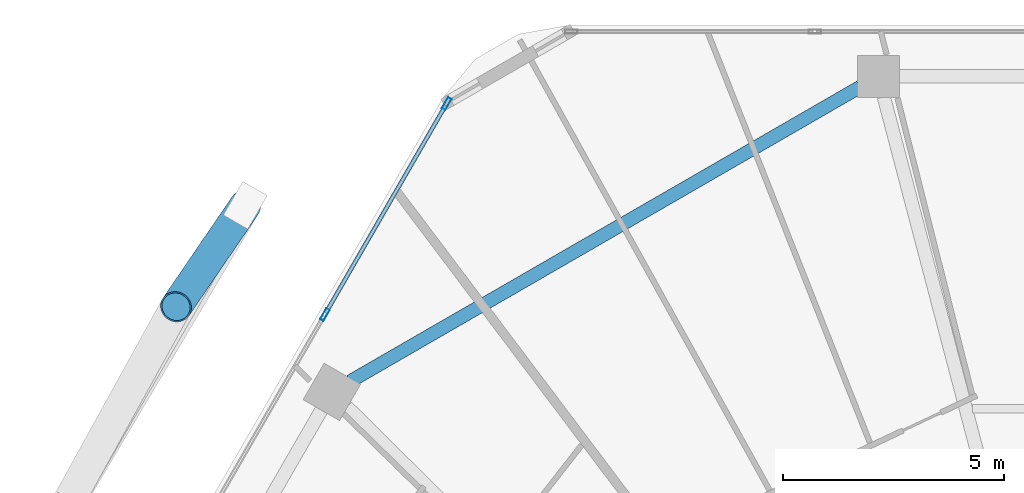
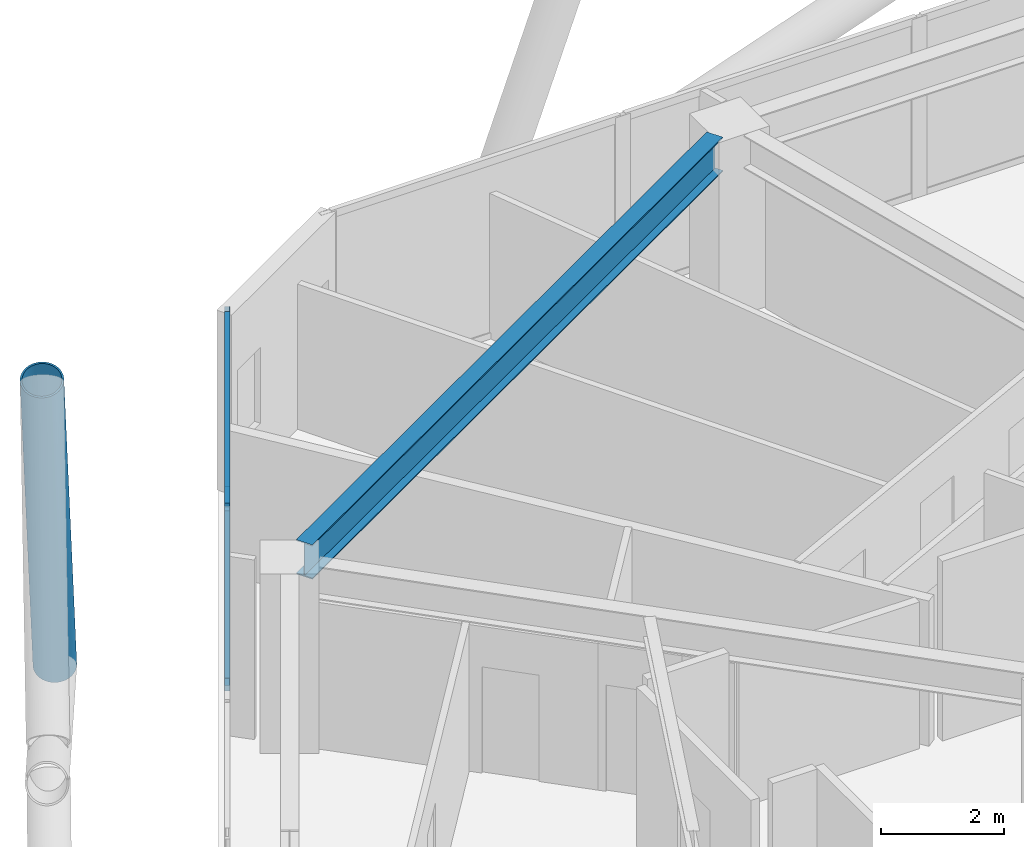
# One storey, part 13 of 29: 5 members, 1 beam, 1 element without a shape of its own.
"""IFC4 building model written with IfcOpenShell, lengths in metres."""

from ifc_helpers import new_model, si_unit, direction, frame, origin, origin_2d, place, context, subcontext, project, spatial, hollow_rectangle, hollow_circle, i_section, extrude, material, material_profile, profile_set, type_object, element, aggregate, save


model = new_model("IFC4")

# Units and contexts
model_context = context("Model", 3, precision=1e-05, world=origin(), true_north=direction((0.0, 1.0)))
body_context = subcontext(model_context, "Body", "Model", "MODEL_VIEW")
ifc_project = project(units=[si_unit("LENGTHUNIT", "METRE"), si_unit("AREAUNIT", "SQUARE_METRE"), si_unit("VOLUMEUNIT", "CUBIC_METRE"), si_unit("PLANEANGLEUNIT", "RADIAN"), si_unit("MASSUNIT", "GRAM", prefix="KILO")], contexts=[model_context])

# Site, building, storey
site_placement = place(None, origin())
site = spatial("IfcSite", under=ifc_project, at=site_placement, CompositionType="ELEMENT")
building_placement = place(site_placement, origin())
building = spatial("IfcBuilding", under=site, at=building_placement, Name="Zuhravey Tower", CompositionType="ELEMENT")
storey_placement = place(building_placement, frame((0.0, 0.0, 192.199951171875)))
storey = spatial("IfcBuildingStorey", under=building, at=storey_placement, Name="L48", CompositionType="ELEMENT", Elevation=192.199951171875)

# Curtain wall, members
ifc_material_1 = material(Name="Thermally broken anodised aluminium", Category="aluminium")
curtain_wall_type = type_object("IfcCurtainWallType", Name="Zone 1-2 Residential Curtain Wall CW3", PredefinedType="NOTDEFINED", material=ifc_material_1)
curtain_wall_placement = place(storey_placement, origin())
curtain_wall = element("IfcCurtainWall", 1, at=curtain_wall_placement, inside=storey, type_object=curtain_wall_type, Name="L48 CW3 CW-L48-F3-1", PredefinedType="NOTDEFINED")
ifc_material_2 = material(Name="Anodised aluminium", Category="aluminium")
ifc_material_profile_1 = material_profile(ifc_material_2, hollow_rectangle(XDim=0.090087890625, YDim=0.284912109375, WallThickness=0.0048828125, at=origin_2d()), Name="ALU-RHS-90x285x5")
ifc_profile_set_1 = profile_set([ifc_material_profile_1], Name="Anodised aluminium")
member_type_1 = type_object("IfcMemberType", Name="Curtain-Wall Mullion 90x180", PredefinedType="MULLION", material=ifc_profile_set_1)
member_1_placement = place(storey_placement, frame((16.6171875, 52.7939453125, 0.0), z_axis=(0.0, 0.0, 1.0), x_axis=(-0.866025138215, 0.500000459979, 0.0)))
member_1 = element("IfcMember", 2, at=member_1_placement, type_object=member_type_1, Name="CW3 mullion 5", PredefinedType="MULLION", context=body_context, shape_type="SweptSolid", body=[
    extrude(hollow_rectangle(XDim=0.090087890625, YDim=0.284912109375, WallThickness=0.0048828125, at=origin_2d()), origin(), (0.0, 0.0, 1.0), 3.550048828125),
])
member_2_placement = place(storey_placement, frame((19.36669921875, 57.556640625, 0.0), z_axis=(0.0, 0.0, 1.0), x_axis=(-0.866025138215, 0.500000459979, 0.0)))
member_2 = element("IfcMember", 3, at=member_2_placement, type_object=member_type_1, Name="CW3 mullion 6", PredefinedType="MULLION", context=body_context, shape_type="SweptSolid", body=[
    extrude(hollow_rectangle(XDim=0.090087890625, YDim=0.284912109375, WallThickness=0.0048828125, at=origin_2d()), origin(), (0.0, 0.0, 1.0), 3.550048828125),
])
ifc_material_profile_2 = material_profile(ifc_material_2, hollow_rectangle(XDim=0.090087890625, YDim=0.14990234375, WallThickness=0.0048828125, at=origin_2d()), Name="ALU-RHS-90x150x5")
ifc_profile_set_2 = profile_set([ifc_material_profile_2], Name="Anodised aluminium")
member_type_2 = type_object("IfcMemberType", Name="Curtain-Wall Transom 90x150", PredefinedType="USERDEFINED", material=ifc_profile_set_2)
member_3_placement = place(storey_placement, frame((16.6396484375, 52.8330078125, 0.045166015625), z_axis=(0.499993332629, 0.866029253159, 0.0), x_axis=(-0.866029253159, 0.499993332629, 0.0)))
member_3 = element("IfcMember", 4, at=member_3_placement, type_object=member_type_2, Name="CW3 transom 5.1", ObjectType="TRANSOM", PredefinedType="USERDEFINED", context=body_context, shape_type="SweptSolid", body=[
    extrude(hollow_rectangle(XDim=0.090087890625, YDim=0.14990234375, WallThickness=0.0048828125, at=origin_2d()), origin(), (0.0, 0.0, 1.0), 5.4091796875),
])
member_4_placement = place(storey_placement, frame((16.6396484375, 52.8330078125, 3.505126953125), z_axis=(0.499993332629, 0.866029253159, 0.0), x_axis=(-0.866029253159, 0.499993332629, 0.0)))
member_4 = element("IfcMember", 5, at=member_4_placement, type_object=member_type_2, Name="CW3 transom 5.2", ObjectType="TRANSOM", PredefinedType="USERDEFINED", context=body_context, shape_type="SweptSolid", body=[
    extrude(hollow_rectangle(XDim=0.090087890625, YDim=0.14990234375, WallThickness=0.0048828125, at=origin_2d()), origin(), (0.0, 0.0, 1.0), 5.4091796875),
])
aggregate(curtain_wall, [member_1, member_2, member_3, member_4])

# Member
ifc_material_3 = material(Name="Steel SM460", Category="steel")
ifc_material_profile_3 = material_profile(ifc_material_3, hollow_circle(Radius=0.355712890625, WallThickness=0.031982421875, at=origin_2d()), Name="CHS-711.2x32")
ifc_profile_set_3 = profile_set([ifc_material_profile_3], Name="Steel SM460")
member_type_3 = type_object("IfcMemberType", Name="Exoskeleton Zone 2 Diagrid CHS711x32", PredefinedType="BRACE", material=ifc_profile_set_3)
member_5_placement = place(storey_placement, frame((14.81591796875, 55.25537109375, -0.44384765625), z_axis=(-0.193875986267, -0.283884421625, 0.9390536391), x_axis=(0.825795971565, -0.56396898261, 0.0)))
element("IfcMember", 6, at=member_5_placement, inside=storey, type_object=member_type_3, Name="L48 Face 3 Diagrid Brace 1", PredefinedType="BRACE", context=body_context, shape_type="SweptSolid", body=[
    extrude(hollow_circle(Radius=0.355712890625, WallThickness=0.031982421875, at=origin_2d()), origin(), (0.0, 0.0, 1.0), 8.050537109375),
])

# Beam
ifc_material_4 = material(Name="Steel SM355", Category="steel")
ifc_material_profile_4 = material_profile(ifc_material_4, i_section(OverallWidth=0.300048828125, OverallDepth=0.679931640625, WebThickness=0.012939453125, FlangeThickness=0.02197265625, at=origin_2d()), Name="H-680x300x13x22")
ifc_profile_set_4 = profile_set([ifc_material_profile_4], Name="Steel SM355")
beam_type = type_object("IfcBeamType", Name="Perimeter Ring Beam H680x300", PredefinedType="BEAM", material=ifc_profile_set_4)
beam_placement = place(storey_placement, frame((28.7041015625, 57.93408203125, 3.2099609375), z_axis=(-0.866029041019, -0.499993700073, 0.0), x_axis=(0.499993700073, -0.866029041019, 0.0)))
element("IfcBeam", 7, at=beam_placement, inside=storey, type_object=beam_type, Name="L48 PB2 BM-L48-PB-04", PredefinedType="BEAM", context=body_context, shape_type="SweptSolid", body=[
    extrude(i_section(OverallWidth=0.300048828125, OverallDepth=0.679931640625, WebThickness=0.012939453125, FlangeThickness=0.02197265625, at=origin_2d()), origin(), (0.0, 0.0, 1.0), 13.297119140625),
])

save(model, "model.ifc")
